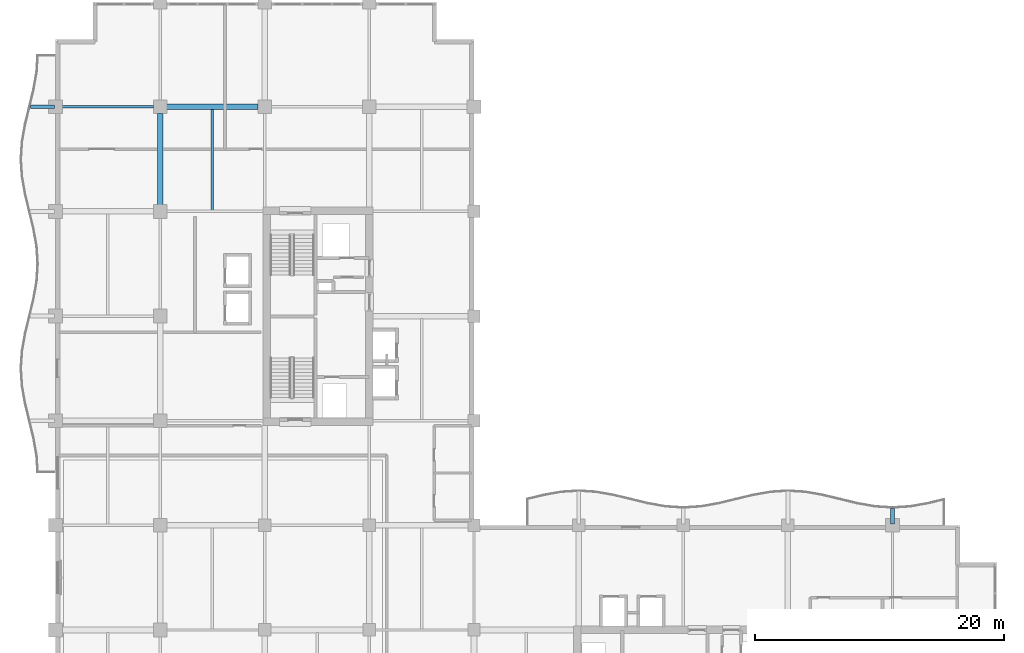
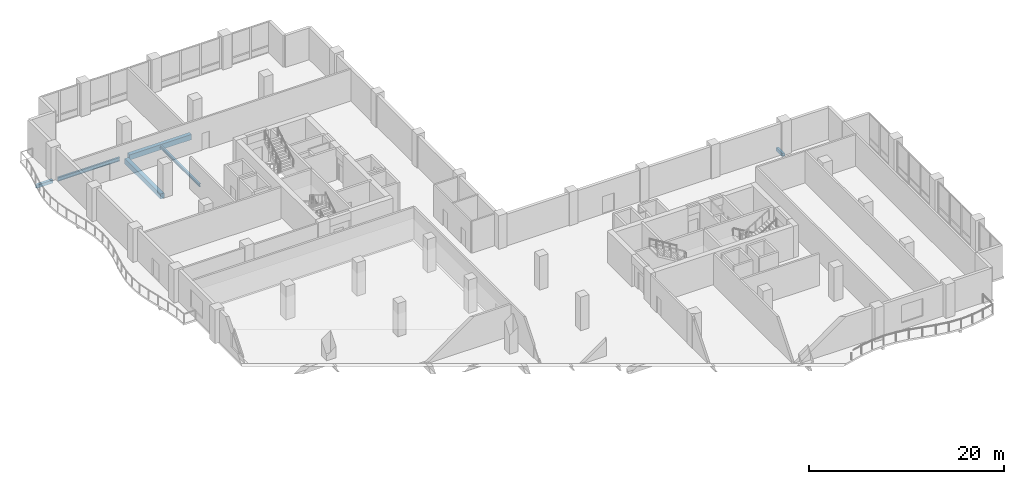
# One storey, part 5 of 22: 6 beams.
"""IFC4 building model written with IfcOpenShell, lengths in metres."""

import ifcopenshell
import ifcopenshell.guid

model = None  # the IFC model being written
_history = None  # IfcOwnerHistory: only IFC2X3 demands one
_inside = {}  # id of a spatial element -> (the spatial element, [elements in it])
_under = {}  # id of a project, library or spatial element -> (it, [spatial elements below it])
_declared = {}  # id of a project -> (the project, [libraries it declares])
_typed = {}  # id of a type object -> (the type object, [elements of that type])
_made_of = {}  # id of a material, layer set ... -> (it, [elements and type objects made of it])


def new_model(schema):
    """Start an empty IFC model of exactly this schema.

    Asked for "IFC4X3", IfcOpenShell would pick the latest addendum, in which some entities
    have other attributes; the version numbers below select the first issue.
    IFC2X3 requires an IfcOwnerHistory on every rooted entity: one is made here for all.
    """
    global model, _history
    if schema == "IFC4X3":
        model = ifcopenshell.file(schema_version=(4, 3, 0, 0))
    else:
        model = ifcopenshell.file(schema=schema)
    _inside.clear()
    _under.clear()
    _declared.clear()
    _typed.clear()
    _made_of.clear()
    _history = None
    if model.schema == "IFC2X3":
        org = make("IfcOrganization", Name="unknown")
        user = make(
            "IfcPersonAndOrganization",
            ThePerson=make("IfcPerson", FamilyName="unknown"),
            TheOrganization=org,
        )
        app = make(
            "IfcApplication",
            ApplicationDeveloper=org,
            Version="unknown",
            ApplicationFullName="unknown",
            ApplicationIdentifier="unknown",
        )
        _history = make(
            "IfcOwnerHistory",
            OwningUser=user,
            OwningApplication=app,
            ChangeAction="ADDED",
            CreationDate=0,
        )
    return model


def make(cls, **values):
    """One entity of the class cls with the attributes given. An attribute that is None is left unset."""
    return model.create_entity(
        cls, **{name: value for name, value in values.items() if value is not None}
    )


def rooted(cls, **values):
    """An entity with a GlobalId (a new one), such as an element, a storey or a relation."""
    return make(cls, GlobalId=ifcopenshell.guid.new(), OwnerHistory=_history, **values)


def si_unit(unit_type, name, prefix=None):
    """IfcSIUnit, for example si_unit("LENGTHUNIT", "METRE", prefix="MILLI")."""
    return make("IfcSIUnit", UnitType=unit_type, Prefix=prefix, Name=name)


def assignment(units):
    """IfcUnitAssignment: the units of a project."""
    return None if units is None else make("IfcUnitAssignment", Units=units)


def point(xyz):
    """IfcCartesianPoint."""
    return None if xyz is None else make("IfcCartesianPoint", Coordinates=xyz)


def direction(xyz):
    """IfcDirection."""
    return None if xyz is None else make("IfcDirection", DirectionRatios=xyz)


def frame(location, z_axis=None, x_axis=None):
    """IfcAxis2Placement3D, a coordinate frame: its origin and axes. An axis left out is left unset."""
    return make(
        "IfcAxis2Placement3D",
        Location=point(location),
        Axis=direction(z_axis),
        RefDirection=direction(x_axis),
    )


def frame_2d(location, x_axis=None):
    """IfcAxis2Placement2D, a coordinate frame in the plane: its origin and x axis."""
    return make(
        "IfcAxis2Placement2D", Location=point(location), RefDirection=direction(x_axis)
    )


def origin():
    """The frame at (0, 0, 0) with its axes left unset."""
    return frame((0.0, 0.0, 0.0))


def origin_2d():
    """The frame at (0, 0) in the plane with its x axis left unset."""
    return frame_2d((0.0, 0.0))


def place(relative_to, where):
    """IfcLocalPlacement: puts the frame where relative to a parent placement (None: the world)."""
    return make(
        "IfcLocalPlacement", PlacementRelTo=relative_to, RelativePlacement=where
    )


def context(
    kind, dimensions, precision=None, world=None, true_north=None, identifier=None
):
    """IfcGeometricRepresentationContext, for example the 3D "Model" context."""
    return make(
        "IfcGeometricRepresentationContext",
        ContextIdentifier=identifier,
        ContextType=kind,
        CoordinateSpaceDimension=dimensions,
        Precision=precision,
        WorldCoordinateSystem=world,
        TrueNorth=true_north,
    )


def subcontext(parent, identifier, kind, view, scale=None):
    """IfcGeometricRepresentationSubContext, for example "Body" below "Model"."""
    return make(
        "IfcGeometricRepresentationSubContext",
        ContextIdentifier=identifier,
        ContextType=kind,
        ParentContext=parent,
        TargetScale=scale,
        TargetView=view,
    )


def project(units=None, contexts=None):
    """IfcProject with its units and contexts."""
    return rooted(
        "IfcProject",
        Name="project",
        RepresentationContexts=contexts,
        UnitsInContext=assignment(units),
    )


def spatial(cls, under=None, at=None, **own):
    """A site, building, storey or space (cls), placed at a placement, below another one or the project."""
    s = rooted(cls, ObjectPlacement=at, **own)
    if under is not None:
        _under.setdefault(under.id(), (under, []))[1].append(s)
    return s


def profile(cls, at=None, kind="AREA", **sizes):
    """A parametric profile (cls). Its sizes go by their IFC names, for example OverallWidth=200.0."""
    return make(cls, ProfileType=kind, Position=at, **sizes)


def rectangle(**sizes):
    """IfcRectangleProfileDef."""
    return profile("IfcRectangleProfileDef", **sizes)


def i_section(**sizes):
    """IfcIShapeProfileDef."""
    return profile("IfcIShapeProfileDef", **sizes)


def extrude(swept, where, along, depth):
    """IfcExtrudedAreaSolid: the profile swept, set in the frame where, extruded along a direction by depth."""
    return make(
        "IfcExtrudedAreaSolid",
        SweptArea=swept,
        Position=where,
        ExtrudedDirection=direction(along),
        Depth=depth,
    )


def shape(context_of_items, identifier, shape_type, items):
    """IfcShapeRepresentation: the items that make up one representation, for example the "Body"."""
    return make(
        "IfcShapeRepresentation",
        ContextOfItems=context_of_items,
        RepresentationIdentifier=identifier,
        RepresentationType=shape_type,
        Items=items,
    )


def material(Name=None, Category=None):
    """IfcMaterial."""
    return make("IfcMaterial", Name=Name, Category=Category)


def material_profile(
    of_material, cross_section, Name=None, Category=None, Priority=None
):
    """IfcMaterialProfile: a cross section and its material."""
    return make(
        "IfcMaterialProfile",
        Name=Name,
        Material=of_material,
        Profile=cross_section,
        Priority=Priority,
        Category=Category,
    )


def profile_set(profiles, Name=None, composite=None):
    """IfcMaterialProfileSet."""
    return make(
        "IfcMaterialProfileSet",
        Name=Name,
        MaterialProfiles=profiles,
        CompositeProfile=composite,
    )


def made_of(thing, what):
    """Note that an element or type object is made of a material, layer set ...; save() writes the relation."""
    if what is not None:
        _made_of.setdefault(what.id(), (what, []))[1].append(thing)
    return thing


def type_object(cls, material=None, **own):
    """A type object (cls), such as IfcWallType, which elements share."""
    return made_of(rooted(cls, **own), material)


def element(
    cls,
    number,
    at=None,
    inside=None,
    cuts=None,
    type_object=None,
    material=None,
    context=None,
    identifier="Body",
    shape_type=None,
    held_by="IfcProductDefinitionShape",
    body=None,
    shapes=None,
    **own,
):
    """One element of the class cls, such as IfcWall. Its Tag is "e" and its number.

    at: its placement. inside: the storey or other place that contains it. cuts: it is an
    opening in that element (IfcRelVoidsElement). A single representation is given by context,
    identifier, shape_type and body (its items); several are given by shapes. held_by: the class
    of the entity that holds the representations. save() writes the other relations.
    """
    e = rooted(cls, Tag="e%d" % number, ObjectPlacement=at, **own)
    if body is not None:
        shapes = [shape(context, identifier, shape_type, body)]
    if shapes is not None:
        e.Representation = make(held_by, Representations=shapes)
    if inside is not None:
        _inside.setdefault(inside.id(), (inside, []))[1].append(e)
    if cuts is not None:
        rooted(
            "IfcRelVoidsElement", RelatingBuildingElement=cuts, RelatedOpeningElement=e
        )
    if type_object is not None:
        _typed.setdefault(type_object.id(), (type_object, []))[1].append(e)
    return made_of(e, material)


def aggregate(whole, parts):
    """IfcRelAggregates: a whole, such as a stair, and the parts it consists of."""
    return rooted("IfcRelAggregates", RelatingObject=whole, RelatedObjects=parts)


def save(model, path):
    """Write the relations noted so far, then the file.

    IfcRelAggregates (storeys below a building ...), IfcRelContainedInSpatialStructure (elements
    in a storey), IfcRelDefinesByType, IfcRelAssociatesMaterial and IfcRelDeclares: one each for
    every whole, place, type object, material and project.
    """
    for whole, parts in _under.values():
        aggregate(whole, parts)
    for where, things in _inside.values():
        rooted(
            "IfcRelContainedInSpatialStructure",
            RelatedElements=things,
            RelatingStructure=where,
        )
    for kind, things in _typed.values():
        rooted("IfcRelDefinesByType", RelatedObjects=things, RelatingType=kind)
    for what, things in _made_of.values():
        rooted("IfcRelAssociatesMaterial", RelatedObjects=things, RelatingMaterial=what)
    for by, libraries in _declared.values():
        rooted("IfcRelDeclares", RelatingContext=by, RelatedDefinitions=libraries)
    model.write(path)


model = new_model("IFC4")

# Units and contexts
model_context = context("Model", 3, precision=1e-05, world=origin(), true_north=direction((0.0, 1.0)))
body_context = subcontext(model_context, "Body", "Model", "MODEL_VIEW")
ifc_project = project(units=[si_unit("LENGTHUNIT", "METRE"), si_unit("AREAUNIT", "SQUARE_METRE"), si_unit("VOLUMEUNIT", "CUBIC_METRE"), si_unit("PLANEANGLEUNIT", "RADIAN"), si_unit("MASSUNIT", "GRAM", prefix="KILO")], contexts=[model_context])

# Site, building, storey
site_placement = place(None, origin())
site = spatial("IfcSite", under=ifc_project, at=site_placement, CompositionType="ELEMENT")
building_placement = place(site_placement, origin())
building = spatial("IfcBuilding", under=site, at=building_placement, Name="Koriwani Terraces Tower", CompositionType="ELEMENT")
storey_placement = place(building_placement, frame((0.0, 0.0, 219.800048828125)))
storey = spatial("IfcBuildingStorey", under=building, at=storey_placement, Name="L54", CompositionType="ELEMENT", Elevation=219.800048828125)

# Beams
ifc_material_1 = material(Name="Concrete C40/50", Category="concrete")
ifc_material_profile_1 = material_profile(ifc_material_1, rectangle(XDim=0.300048828125, YDim=0.39990234375, at=origin_2d()), Name="Concrete C40/50", Category="LoadBearing")
ifc_profile_set_1 = profile_set([ifc_material_profile_1], Name="Concrete C40/50")
beam_type_1 = type_object("IfcBeamType", Name="BEAM_RC_BALCONY_RIB_300X400", PredefinedType="JOIST", material=ifc_profile_set_1)
beam_1_placement = place(storey_placement, frame((-2.02490234375, 67.199951171875, -0.429931640625), z_axis=(1.0, 0.0, 0.0), x_axis=(0.0, 1.0, 0.0)))
element("IfcBeam", 1, at=beam_1_placement, inside=storey, type_object=beam_type_1, Name="L54 Balcony Bracket Rib W-4", PredefinedType="JOIST", context=body_context, shape_type="SweptSolid", body=[
    extrude(rectangle(XDim=0.300048828125, YDim=0.39990234375, at=origin_2d()), origin(), (0.0, 0.0, 1.0), 1.9248046875),
])
beam_2_placement = place(storey_placement, frame((67.199951171875, 33.699951171875, -0.429931640625), z_axis=(0.0, 1.0, 0.0), x_axis=(-1.0, 0.0, 0.0)))
element("IfcBeam", 2, at=beam_2_placement, inside=storey, type_object=beam_type_1, Name="L54 Balcony Bracket Rib NE-4", PredefinedType="JOIST", context=body_context, shape_type="SweptSolid", body=[
    extrude(rectangle(XDim=0.300048828125, YDim=0.39990234375, at=origin_2d()), origin(), (0.0, 0.0, 1.0), 1.25),
])
ifc_material_2 = material(Name="Concrete C50/60", Category="concrete")
ifc_material_profile_2 = material_profile(ifc_material_2, rectangle(XDim=0.449951171875, YDim=0.64990234375, at=origin_2d()), Name="Concrete C50/60", Category="LoadBearing")
ifc_profile_set_2 = profile_set([ifc_material_profile_2], Name="Concrete C50/60")
beam_type_2 = type_object("IfcBeamType", Name="BEAM_RC_GRID_450X650", PredefinedType="BEAM", material=ifc_profile_set_2)
beam_3_placement = place(storey_placement, frame((8.929931640625, 67.199951171875, -0.554931640625), z_axis=(1.0, 0.0, 0.0), x_axis=(0.0, 1.0, 0.0)))
element("IfcBeam", 3, at=beam_3_placement, inside=storey, type_object=beam_type_2, Name="L54 Grid Beam I (8.4-16.8m)", PredefinedType="BEAM", context=body_context, shape_type="SweptSolid", body=[
    extrude(rectangle(XDim=0.449951171875, YDim=0.64990234375, at=origin_2d()), origin(), (0.0, 0.0, 1.0), 7.340087890625),
])
beam_4_placement = place(storey_placement, frame((8.39990234375, 59.330078125, -0.554931640625), z_axis=(0.0, 1.0, 0.0), x_axis=(-1.0, 0.0, 0.0)))
element("IfcBeam", 4, at=beam_4_placement, inside=storey, type_object=beam_type_2, Name="L54 Grid Beam 2 (58.8-67.2m)", PredefinedType="BEAM", context=body_context, shape_type="SweptSolid", body=[
    extrude(rectangle(XDim=0.449951171875, YDim=0.64990234375, at=origin_2d()), origin(), (0.0, 0.0, 1.0), 7.33984375),
])
ifc_material_3 = material(Name="Steel ASTM A572 Grade 50", Category="steel")
ifc_material_profile_3 = material_profile(ifc_material_3, i_section(OverallWidth=0.205078125, OverallDepth=0.35400390625, WebThickness=0.009521484375, FlangeThickness=0.016845703125, at=origin_2d()), Name="Steel ASTM A572 Grade 50", Category="LoadBearing")
ifc_profile_set_3 = profile_set([ifc_material_profile_3], Name="Steel ASTM A572 Grade 50")
beam_type_3 = type_object("IfcBeamType", Name="STEEL_BEAM_W360X79", PredefinedType="JOIST", material=ifc_profile_set_3)
beam_5_placement = place(storey_placement, frame((12.60009765625, 58.886474609375, -0.406982421875), z_axis=(0.0, 1.0, 0.0), x_axis=(-1.0, 0.0, 0.0)))
element("IfcBeam", 5, at=beam_5_placement, inside=storey, type_object=beam_type_3, Name="L54 Secondary Steel Floor Joist X=12.6m", PredefinedType="JOIST", context=body_context, shape_type="SweptSolid", body=[
    extrude(i_section(OverallWidth=0.205078125, OverallDepth=0.35400390625, WebThickness=0.009521484375, FlangeThickness=0.016845703125, at=origin_2d()), origin(), (0.0, 0.0, 1.0), 8.0986328125),
])
ifc_material_profile_4 = material_profile(ifc_material_3, i_section(OverallWidth=0.193115234375, OverallDepth=0.462890625, WebThickness=0.0107421875, FlangeThickness=0.017333984375, at=origin_2d()), Name="Steel ASTM A572 Grade 50", Category="LoadBearing")
ifc_profile_set_4 = profile_set([ifc_material_profile_4], Name="Steel ASTM A572 Grade 50")
beam_type_4 = type_object("IfcBeamType", Name="STEEL_BEAM_W460X113", PredefinedType="BEAM", material=ifc_profile_set_4)
beam_6_placement = place(storey_placement, frame((0.530029296875, 67.199951171875, -0.461669921875), z_axis=(1.0, 0.0, 0.0), x_axis=(0.0, 1.0, 0.0)))
element("IfcBeam", 6, at=beam_6_placement, inside=storey, type_object=beam_type_4, Name="L54 Grid Beam I (0.0-8.4m)", PredefinedType="BEAM", context=body_context, shape_type="SweptSolid", body=[
    extrude(i_section(OverallWidth=0.193115234375, OverallDepth=0.462890625, WebThickness=0.0107421875, FlangeThickness=0.017333984375, at=origin_2d()), origin(), (0.0, 0.0, 1.0), 7.340087890625),
])

save(model, "model.ifc")
